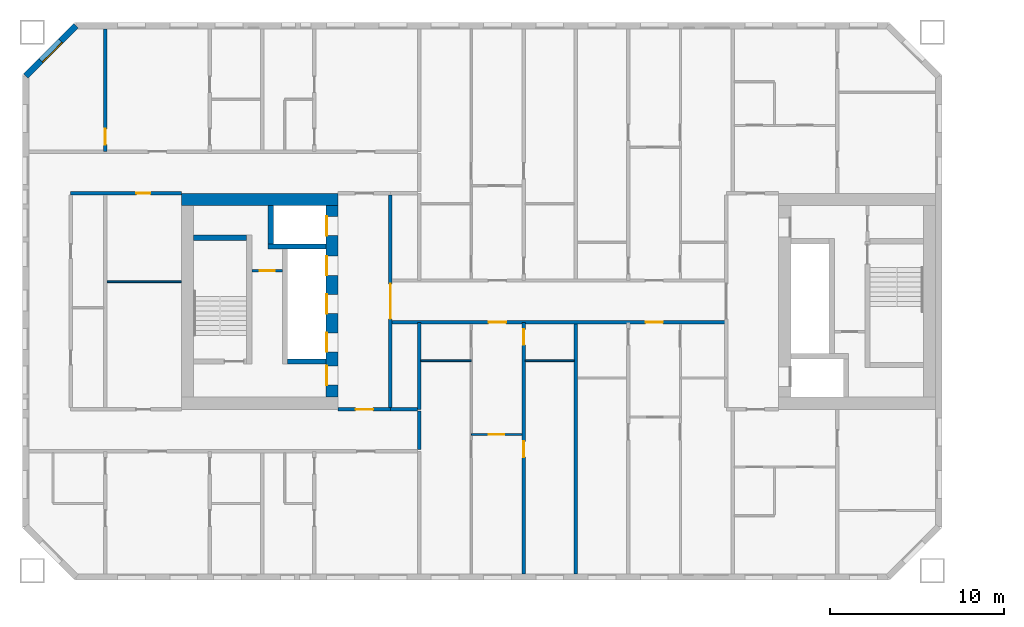
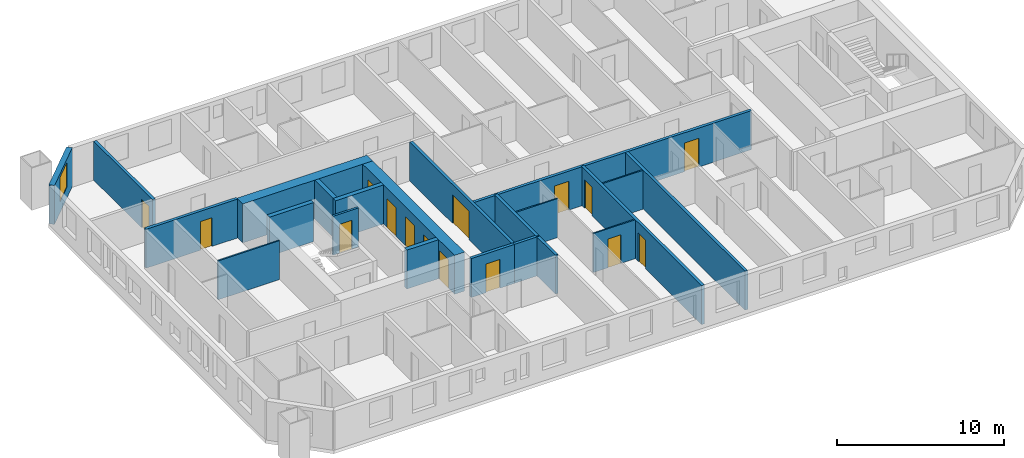
# One storey, part 4 of 17: 22 walls, 15 doors, 1 window, 16 openings.
"""IFC4 building model written with IfcOpenShell, lengths in metres."""

from ifc_helpers import new_model, si_unit, direction, frame, frame_2d, origin, place, context, subcontext, project, spatial, rectangle, extrude, material, layer, layer_set, type_object, element, fill, save


model = new_model("IFC4")

# Units and contexts
model_context = context("Model", 3, precision=1e-05, world=origin(), true_north=direction((0.0, 1.0)))
body_context = subcontext(model_context, "Body", "Model", "MODEL_VIEW")
ifc_project = project(units=[si_unit("LENGTHUNIT", "METRE"), si_unit("AREAUNIT", "SQUARE_METRE"), si_unit("VOLUMEUNIT", "CUBIC_METRE"), si_unit("PLANEANGLEUNIT", "RADIAN"), si_unit("MASSUNIT", "GRAM", prefix="KILO")], contexts=[model_context])

# Site, building, storey
site_placement = place(None, origin())
site = spatial("IfcSite", under=ifc_project, at=site_placement, CompositionType="ELEMENT")
building_placement = place(site_placement, origin())
building = spatial("IfcBuilding", under=site, at=building_placement, Name="Tuart Gate Housing", CompositionType="ELEMENT")
storey_placement = place(building_placement, frame((0.0, 0.0, 77.800048828125)))
storey = spatial("IfcBuildingStorey", under=building, at=storey_placement, Name="L21", CompositionType="ELEMENT", Elevation=77.800048828125)

# Wall, opening, window
ifc_material_1 = material(Name="Brick", Category="masonry")
ifc_layer_1 = layer(ifc_material_1, 0.360107421875)
ifc_layer_set_1 = layer_set([ifc_layer_1], Name="Brick pier and spandrel wall 360")
wall_type_1 = type_object("IfcWallType", Name="Brick pier and spandrel wall 360", PredefinedType="STANDARD", material=ifc_layer_set_1)
wall_1_placement = place(storey_placement, frame((26.32470703125, 85.820068359375, 0.0), z_axis=(0.0, 0.0, 1.0), x_axis=(-0.707106781187, -0.707106781187, 0.0)))
wall_1 = element("IfcWall", 1, at=wall_1_placement, inside=storey, type_object=wall_type_1, Name="External wall A-NW L21", PredefinedType="STANDARD", context=body_context, shape_type="SweptSolid", body=[
    extrude(rectangle(XDim=4.09375, YDim=0.360107421875, at=frame_2d((2.046875, 0.0))), origin(), (0.0, 0.0, 1.0), 2.849853515625),
])
opening_1_placement = place(wall_1_placement, frame((1.2470703125, 0.0, 0.800048828125)))
opening_1 = element("IfcOpeningElement", 2, at=opening_1_placement, cuts=wall_1, Name="Opening W1", PredefinedType="OPENING", context=body_context, shape_type="SweptSolid", body=[
    extrude(rectangle(XDim=1.60009765625, YDim=1.800048828125, at=frame_2d((0.800048828125, 0.89990234375))), frame((0.0, 0.18994140625, 0.0), z_axis=(0.0, -1.0, 0.0), x_axis=(1.0, 0.0, 0.0)), (0.0, 0.0, 1.0), 0.380126953125),
])
ifc_material_2 = material(Name="Aluminium frame with clear glass", Category="aluminium")
window_type = type_object("IfcWindowType", Name="Punched window 1600 x 1800", PartitioningType="SINGLE_PANEL", PredefinedType="WINDOW", material=ifc_material_2)
window_placement = place(opening_1_placement, origin())
window = element("IfcWindow", 3, at=window_placement, inside=storey, type_object=window_type, Name="Window W1", OverallHeight=1.800048828125, OverallWidth=1.60009765625, PartitioningType="SINGLE_PANEL", PredefinedType="WINDOW", context=body_context, shape_type="SweptSolid", body=[
    extrude(rectangle(XDim=1.60009765625, YDim=1.800048828125, at=frame_2d((0.800048828125, 0.89990234375))), frame((0.0, 0.150146484375, 0.0), z_axis=(0.0, -1.0, 0.0), x_axis=(1.0, 0.0, 0.0)), (0.0, 0.0, 1.0), 0.06005859375),
])
fill(opening_1, window)

# Wall, opening, door
ifc_material_3 = material(Name="Plasterboard partition")
ifc_layer_2 = layer(ifc_material_3, 0.14990234375)
ifc_layer_set_2 = layer_set([ifc_layer_2], Name="Core partition 150")
wall_type_2 = type_object("IfcWallType", Name="Core partition 150", PredefinedType="PARTITIONING", material=ifc_layer_set_2)
wall_2_placement = place(storey_placement, frame((38.159912109375, 71.75, 0.0), z_axis=(0.0, 0.0, 1.0), x_axis=(-1.0, 0.0, 0.0)))
wall_2 = element("IfcWall", 4, at=wall_2_placement, inside=storey, type_object=wall_type_2, Name="Core partition AK.3", PredefinedType="PARTITIONING", context=body_context, shape_type="SweptSolid", body=[
    extrude(rectangle(XDim=1.75, YDim=0.14990234375, at=frame_2d((0.875, 0.0))), origin(), (0.0, 0.0, 1.0), 2.849853515625),
])
opening_2_placement = place(wall_2_placement, frame((0.449951171875, 0.0, 0.0)))
opening_2 = element("IfcOpeningElement", 5, at=opening_2_placement, cuts=wall_2, Name="Opening D858", PredefinedType="OPENING", context=body_context, shape_type="SweptSolid", body=[
    extrude(rectangle(XDim=0.85009765625, YDim=2.10009765625, at=frame_2d((0.425048828125, 1.050048828125))), frame((0.0, 0.0849609375, 0.0), z_axis=(0.0, -1.0, 0.0), x_axis=(1.0, 0.0, 0.0)), (0.0, 0.0, 1.0), 0.169921875),
])
ifc_material_4 = material(Name="Steel fire door", Category="steel")
door_type_1 = type_object("IfcDoorType", Name="Riser door 850 x 2100 RH", OperationType="SINGLE_SWING_RIGHT", PredefinedType="DOOR", material=ifc_material_4)
door_1_placement = place(opening_2_placement, frame((0.85009765625, 0.0, 0.0), z_axis=(0.0, 0.0, 1.0), x_axis=(-1.0, 0.0, 0.0)))
door_1 = element("IfcDoor", 6, at=door_1_placement, inside=storey, type_object=door_type_1, Name="Service room door AK.E1", OperationType="SINGLE_SWING_RIGHT", OverallHeight=2.10009765625, OverallWidth=0.85009765625, PredefinedType="DOOR", context=body_context, shape_type="SweptSolid", body=[
    extrude(rectangle(XDim=0.85009765625, YDim=2.10009765625, at=frame_2d((0.425048828125, 1.050048828125))), frame((0.0, 0.025146484375, 0.0), z_axis=(0.0, -1.0, 0.0), x_axis=(1.0, 0.0, 0.0)), (0.0, 0.0, 1.0), 0.050048828125),
])
fill(opening_2, door_1)

# Walls
ifc_material_5 = material(Name="Concrete C50", Category="concrete")
ifc_layer_3 = layer(ifc_material_5, 0.300048828125)
ifc_layer_set_3 = layer_set([ifc_layer_3], Name="Core wall 300 C50")
wall_type_3 = type_object("IfcWallType", Name="Core wall 300 C50", PredefinedType="SHEAR", material=ifc_layer_set_3)
wall_3_placement = place(storey_placement, frame((36.110107421875, 73.64990234375, 0.0), z_axis=(0.0, 0.0, 1.0), x_axis=(-1.0, 0.0, 0.0)))
element("IfcWall", 7, at=wall_3_placement, inside=storey, type_object=wall_type_3, Name="Core wall AK.1", PredefinedType="SHEAR", context=body_context, shape_type="SweptSolid", body=[
    extrude(rectangle(XDim=3.050048828125, YDim=0.300048828125, at=frame_2d((1.52490234375, 0.0))), origin(), (0.0, 0.0, 1.0), 2.849853515625),
])
wall_4_placement = place(storey_placement, frame((40.659912109375, 73.14990234375, 0.0), z_axis=(0.0, 0.0, 1.0), x_axis=(-1.0, 0.0, 0.0)))
element("IfcWall", 8, at=wall_4_placement, inside=storey, type_object=wall_type_3, Name="Core wall AK.2", PredefinedType="SHEAR", context=body_context, shape_type="SweptSolid", body=[
    extrude(rectangle(XDim=3.31982421875, YDim=0.300048828125, at=frame_2d((1.659912109375, 0.0))), origin(), (0.0, 0.0, 1.0), 2.849853515625),
])
for number, where, z_axis, x_axis, name in (
    (9, (40.659912109375, 66.550048828125, 0.0), (0.0, 0.0, 1.0), (-1.0, 0.0, 0.0), "Core wall AK.4"),
    (10, (37.489990234375, 75.5, 0.0), (0.0, 0.0, 1.0), (0.0, -1.0, 0.0), "Core wall AK.7"),
):
    element("IfcWall", number, at=place(storey_placement, frame(where, z_axis=z_axis, x_axis=x_axis)), inside=storey, type_object=wall_type_3, Name=name, PredefinedType="SHEAR", context=body_context, shape_type="SweptSolid", body=[
        extrude(rectangle(XDim=2.199951171875, YDim=0.300048828125, at=frame_2d((1.10009765625, 0.0))), origin(), (0.0, 0.0, 1.0), 2.849853515625),
    ])

# Wall, openings, doors
ifc_material_6 = material(Name="Concrete C50", Category="concrete")
ifc_layer_4 = layer(ifc_material_6, 0.699951171875)
ifc_layer_set_4 = layer_set([ifc_layer_4], Name="Core wall 700 C50")
wall_type_4 = type_object("IfcWallType", Name="Core wall 700 C50", PredefinedType="SHEAR", material=ifc_layer_set_4)
wall_5_placement = place(storey_placement, frame((41.010009765625, 75.5, 0.0), z_axis=(0.0, 0.0, 1.0), x_axis=(0.0, -1.0, 0.0)))
wall_5 = element("IfcWall", 11, at=wall_5_placement, inside=storey, type_object=wall_type_4, Name="Core wall AK front", PredefinedType="SHEAR", context=body_context, shape_type="SweptSolid", body=[
    extrude(rectangle(XDim=11.0, YDim=0.699951171875, at=frame_2d((5.5, 0.0))), origin(), (0.0, 0.0, 1.0), 2.849853515625),
])
opening_3_placement = place(wall_5_placement, frame((0.625, 0.0, 0.0)))
opening_3 = element("IfcOpeningElement", 12, at=opening_3_placement, cuts=wall_5, Name="Opening LD-FA2", PredefinedType="OPENING", context=body_context, shape_type="SweptSolid", body=[
    extrude(rectangle(XDim=1.10009765625, YDim=2.10009765625, at=frame_2d((0.550048828125, 1.050048828125))), frame((0.0, 0.35986328125, 0.0), z_axis=(0.0, -1.0, 0.0), x_axis=(1.0, 0.0, 0.0)), (0.0, 0.0, 1.0), 0.719970703125),
])
opening_4_placement = place(wall_5_placement, frame((2.89990234375, 0.0, 0.0)))
opening_4 = element("IfcOpeningElement", 13, at=opening_4_placement, cuts=wall_5, Name="Opening LD-LA4", PredefinedType="OPENING", context=body_context, shape_type="SweptSolid", body=[
    extrude(rectangle(XDim=1.10009765625, YDim=2.10009765625, at=frame_2d((0.550048828125, 1.050048828125))), frame((0.0, 0.35986328125, 0.0), z_axis=(0.0, -1.0, 0.0), x_axis=(1.0, 0.0, 0.0)), (0.0, 0.0, 1.0), 0.719970703125),
])
opening_5_placement = place(wall_5_placement, frame((5.10009765625, 0.0, 0.0)))
opening_5 = element("IfcOpeningElement", 14, at=opening_5_placement, cuts=wall_5, Name="Opening LD-LA5", PredefinedType="OPENING", context=body_context, shape_type="SweptSolid", body=[
    extrude(rectangle(XDim=1.10009765625, YDim=2.10009765625, at=frame_2d((0.550048828125, 1.050048828125))), frame((0.0, 0.35986328125, 0.0), z_axis=(0.0, -1.0, 0.0), x_axis=(1.0, 0.0, 0.0)), (0.0, 0.0, 1.0), 0.719970703125),
])
opening_6_placement = place(wall_5_placement, frame((7.300048828125, 0.0, 0.0)))
opening_6 = element("IfcOpeningElement", 15, at=opening_6_placement, cuts=wall_5, Name="Opening LD-LA6", PredefinedType="OPENING", context=body_context, shape_type="SweptSolid", body=[
    extrude(rectangle(XDim=1.10009765625, YDim=2.10009765625, at=frame_2d((0.550048828125, 1.050048828125))), frame((0.0, 0.35986328125, 0.0), z_axis=(0.0, -1.0, 0.0), x_axis=(1.0, 0.0, 0.0)), (0.0, 0.0, 1.0), 0.719970703125),
])
opening_7_placement = place(wall_5_placement, frame((9.199951171875, 0.0, 0.0)))
opening_7 = element("IfcOpeningElement", 16, at=opening_7_placement, cuts=wall_5, Name="Opening D863", PredefinedType="OPENING", context=body_context, shape_type="SweptSolid", body=[
    extrude(rectangle(XDim=1.10009765625, YDim=2.10009765625, at=frame_2d((0.550048828125, 1.050048828125))), frame((0.0, 0.35986328125, 0.0), z_axis=(0.0, -1.0, 0.0), x_axis=(1.0, 0.0, 0.0)), (0.0, 0.0, 1.0), 0.719970703125),
])
ifc_material_7 = material(Name="Stainless steel", Category="steel")
door_type_2 = type_object("IfcDoorType", Name="Landing door 1100 x 2100", OperationType="DOUBLE_DOOR_SLIDING", PredefinedType="DOOR", material=ifc_material_7)
door_2_placement = place(opening_3_placement, origin())
door_2 = element("IfcDoor", 17, at=door_2_placement, inside=storey, type_object=door_type_2, Name="Lift landing door FA2", OperationType="DOUBLE_DOOR_SLIDING", OverallHeight=2.10009765625, OverallWidth=1.10009765625, PredefinedType="DOOR", context=body_context, shape_type="SweptSolid", body=[
    extrude(rectangle(XDim=1.10009765625, YDim=2.10009765625, at=frame_2d((0.550048828125, 1.050048828125))), frame((0.0, -0.28515625, 0.0), z_axis=(0.0, -1.0, 0.0), x_axis=(1.0, 0.0, 0.0)), (0.0, 0.0, 1.0), 0.050048828125),
])
fill(opening_3, door_2)
door_3_placement = place(opening_4_placement, origin())
door_3 = element("IfcDoor", 18, at=door_3_placement, inside=storey, type_object=door_type_2, Name="Lift landing door LA4", OperationType="DOUBLE_DOOR_SLIDING", OverallHeight=2.10009765625, OverallWidth=1.10009765625, PredefinedType="DOOR", context=body_context, shape_type="SweptSolid", body=[
    extrude(rectangle(XDim=1.10009765625, YDim=2.10009765625, at=frame_2d((0.550048828125, 1.050048828125))), frame((0.0, -0.28515625, 0.0), z_axis=(0.0, -1.0, 0.0), x_axis=(1.0, 0.0, 0.0)), (0.0, 0.0, 1.0), 0.050048828125),
])
fill(opening_4, door_3)
door_4_placement = place(opening_5_placement, origin())
door_4 = element("IfcDoor", 19, at=door_4_placement, inside=storey, type_object=door_type_2, Name="Lift landing door LA5", OperationType="DOUBLE_DOOR_SLIDING", OverallHeight=2.10009765625, OverallWidth=1.10009765625, PredefinedType="DOOR", context=body_context, shape_type="SweptSolid", body=[
    extrude(rectangle(XDim=1.10009765625, YDim=2.10009765625, at=frame_2d((0.550048828125, 1.050048828125))), frame((0.0, -0.28515625, 0.0), z_axis=(0.0, -1.0, 0.0), x_axis=(1.0, 0.0, 0.0)), (0.0, 0.0, 1.0), 0.050048828125),
])
fill(opening_5, door_4)
door_5_placement = place(opening_6_placement, origin())
door_5 = element("IfcDoor", 20, at=door_5_placement, inside=storey, type_object=door_type_2, Name="Lift landing door LA6", OperationType="DOUBLE_DOOR_SLIDING", OverallHeight=2.10009765625, OverallWidth=1.10009765625, PredefinedType="DOOR", context=body_context, shape_type="SweptSolid", body=[
    extrude(rectangle(XDim=1.10009765625, YDim=2.10009765625, at=frame_2d((0.550048828125, 1.050048828125))), frame((0.0, -0.28515625, 0.0), z_axis=(0.0, -1.0, 0.0), x_axis=(1.0, 0.0, 0.0)), (0.0, 0.0, 1.0), 0.050048828125),
])
fill(opening_6, door_5)
ifc_material_8 = material(Name="Steel fire door", Category="steel")
door_type_3 = type_object("IfcDoorType", Name="Lobby door 1100 x 2100 RH", OperationType="SINGLE_SWING_RIGHT", PredefinedType="DOOR", material=ifc_material_8)
door_6_placement = place(opening_7_placement, frame((1.10009765625, 0.0, 0.0), z_axis=(0.0, 0.0, 1.0), x_axis=(-1.0, 0.0, 0.0)))
door_6 = element("IfcDoor", 21, at=door_6_placement, inside=storey, type_object=door_type_3, Name="Lobby entry door AK.EN", OperationType="SINGLE_SWING_RIGHT", OverallHeight=2.10009765625, OverallWidth=1.10009765625, PredefinedType="DOOR", context=body_context, shape_type="SweptSolid", body=[
    extrude(rectangle(XDim=1.10009765625, YDim=2.10009765625, at=frame_2d((0.550048828125, 1.050048828125))), frame((0.0, 0.335205078125, 0.0), z_axis=(0.0, -1.0, 0.0), x_axis=(1.0, 0.0, 0.0)), (0.0, 0.0, 1.0), 0.050048828125),
])
fill(opening_7, door_6)

# Walls
wall_6_placement = place(storey_placement, frame((41.360107421875, 75.85009765625, 0.0), z_axis=(0.0, 0.0, 1.0), x_axis=(-1.0, 0.0, 0.0)))
element("IfcWall", 22, at=wall_6_placement, inside=storey, type_object=wall_type_4, Name="Core wall AK south", PredefinedType="SHEAR", context=body_context, shape_type="SweptSolid", body=[
    extrude(rectangle(XDim=9.0, YDim=0.699951171875, at=frame_2d((4.5, 0.0))), origin(), (0.0, 0.0, 1.0), 2.849853515625),
])
ifc_material_9 = material(Name="Concrete masonry 15 MPa", Category="masonry")
ifc_layer_5 = layer(ifc_material_9, 0.199951171875)
ifc_layer_set_5 = layer_set([ifc_layer_5], Name="Corridor wall masonry 200")
wall_type_5 = type_object("IfcWallType", Name="Corridor wall masonry 200", PredefinedType="PARTITIONING", material=ifc_layer_set_5)
wall_7_placement = place(storey_placement, frame((44.360107421875, 63.800048828125, 0.0), z_axis=(0.0, 0.0, 1.0), x_axis=(1.0, 0.0, 0.0)))
element("IfcWall", 23, at=wall_7_placement, inside=storey, type_object=wall_type_5, Name="Corridor wall masonry 200", PredefinedType="PARTITIONING", context=body_context, shape_type="SweptSolid", body=[
    extrude(rectangle(XDim=1.539794921875, YDim=0.199951171875, at=frame_2d((0.77001953125, 0.0))), origin(), (0.0, 0.0, 1.0), 2.849853515625),
])

# Wall, openings, doors
wall_8_placement = place(storey_placement, frame((44.360107421875, 68.800048828125, 0.0), z_axis=(0.0, 0.0, 1.0), x_axis=(1.0, 0.0, 0.0)))
wall_8 = element("IfcWall", 24, at=wall_8_placement, inside=storey, type_object=wall_type_5, Name="Corridor wall masonry 200", PredefinedType="PARTITIONING", context=body_context, shape_type="SweptSolid", body=[
    extrude(rectangle(XDim=19.27978515625, YDim=0.199951171875, at=frame_2d((9.639892578125, 0.0))), origin(), (0.0, 0.0, 1.0), 2.849853515625),
])
opening_8_placement = place(wall_8_placement, frame((14.639892578125, 0.0, 0.0)))
opening_8 = element("IfcOpeningElement", 25, at=opening_8_placement, cuts=wall_8, Name="Opening D868", PredefinedType="OPENING", context=body_context, shape_type="SweptSolid", body=[
    extrude(rectangle(XDim=1.0, YDim=2.10009765625, at=frame_2d((0.5, 1.050048828125))), frame((0.0, 0.10986328125, 0.0), z_axis=(0.0, -1.0, 0.0), x_axis=(1.0, 0.0, 0.0)), (0.0, 0.0, 1.0), 0.219970703125),
])
opening_9_placement = place(wall_8_placement, frame((5.639892578125, 0.0, 0.0)))
opening_9 = element("IfcOpeningElement", 26, at=opening_9_placement, cuts=wall_8, Name="Opening D869", PredefinedType="OPENING", context=body_context, shape_type="SweptSolid", body=[
    extrude(rectangle(XDim=1.0, YDim=2.10009765625, at=frame_2d((0.5, 1.050048828125))), frame((0.0, 0.10986328125, 0.0), z_axis=(0.0, -1.0, 0.0), x_axis=(1.0, 0.0, 0.0)), (0.0, 0.0, 1.0), 0.219970703125),
])
ifc_material_10 = material(Name="Timber door leaf in steel frame", Category="steel")
door_type_4 = type_object("IfcDoorType", Name="Flat entrance door 1000 RH", OperationType="SINGLE_SWING_RIGHT", PredefinedType="DOOR", material=ifc_material_10)
door_7_placement = place(opening_8_placement, frame((1.0, 0.0, 0.0), z_axis=(0.0, 0.0, 1.0), x_axis=(-1.0, 0.0, 0.0)))
door_7 = element("IfcDoor", 27, at=door_7_placement, inside=storey, type_object=door_type_4, Name="Flat entrance door", OperationType="SINGLE_SWING_RIGHT", OverallHeight=2.10009765625, OverallWidth=1.0, PredefinedType="DOOR", context=body_context, shape_type="SweptSolid", body=[
    extrude(rectangle(XDim=1.0, YDim=2.10009765625, at=frame_2d((0.5, 1.050048828125))), frame((0.0, 0.025146484375, 0.0), z_axis=(0.0, -1.0, 0.0), x_axis=(1.0, 0.0, 0.0)), (0.0, 0.0, 1.0), 0.050048828125),
])
fill(opening_8, door_7)
door_8_placement = place(opening_9_placement, frame((1.0, 0.0, 0.0), z_axis=(0.0, 0.0, 1.0), x_axis=(-1.0, 0.0, 0.0)))
door_8 = element("IfcDoor", 28, at=door_8_placement, inside=storey, type_object=door_type_4, Name="Flat entrance door", OperationType="SINGLE_SWING_RIGHT", OverallHeight=2.10009765625, OverallWidth=1.0, PredefinedType="DOOR", context=body_context, shape_type="SweptSolid", body=[
    extrude(rectangle(XDim=1.0, YDim=2.10009765625, at=frame_2d((0.5, 1.050048828125))), frame((0.0, 0.025146484375, 0.0), z_axis=(0.0, -1.0, 0.0), x_axis=(1.0, 0.0, 0.0)), (0.0, 0.0, 1.0), 0.050048828125),
])
fill(opening_9, door_8)

# Wall, opening, door
wall_9_placement = place(storey_placement, frame((26.010009765625, 76.199951171875, 0.0), z_axis=(0.0, 0.0, 1.0), x_axis=(1.0, 0.0, 0.0)))
wall_9 = element("IfcWall", 29, at=wall_9_placement, inside=storey, type_object=wall_type_5, Name="Corridor wall masonry 200", PredefinedType="PARTITIONING", context=body_context, shape_type="SweptSolid", body=[
    extrude(rectangle(XDim=6.35009765625, YDim=0.199951171875, at=frame_2d((3.175048828125, 0.0))), origin(), (0.0, 0.0, 1.0), 2.849853515625),
])
opening_10_placement = place(wall_9_placement, frame((3.77001953125, 0.0, 0.0)))
opening_10 = element("IfcOpeningElement", 30, at=opening_10_placement, cuts=wall_9, Name="Opening D854", PredefinedType="OPENING", context=body_context, shape_type="SweptSolid", body=[
    extrude(rectangle(XDim=0.800048828125, YDim=2.10009765625, at=frame_2d((0.39990234375, 1.050048828125))), frame((0.0, 0.10986328125, 0.0), z_axis=(0.0, -1.0, 0.0), x_axis=(1.0, 0.0, 0.0)), (0.0, 0.0, 1.0), 0.219970703125),
])
ifc_material_11 = material(Name="Timber door leaf in steel frame", Category="steel")
door_type_5 = type_object("IfcDoorType", Name="Store door 800 RH", OperationType="SINGLE_SWING_RIGHT", PredefinedType="DOOR", material=ifc_material_11)
door_9_placement = place(opening_10_placement, frame((0.800048828125, 0.0, 0.0), z_axis=(0.0, 0.0, 1.0), x_axis=(-1.0, 0.0, 0.0)))
door_9 = element("IfcDoor", 31, at=door_9_placement, inside=storey, type_object=door_type_5, Name="Store door", OperationType="SINGLE_SWING_RIGHT", OverallHeight=2.10009765625, OverallWidth=0.800048828125, PredefinedType="DOOR", context=body_context, shape_type="SweptSolid", body=[
    extrude(rectangle(XDim=0.800048828125, YDim=2.10009765625, at=frame_2d((0.400146484375, 1.050048828125))), frame((0.0, 0.025146484375, 0.0), z_axis=(0.0, -1.0, 0.0), x_axis=(1.0, 0.0, 0.0)), (0.0, 0.0, 1.0), 0.050048828125),
])
fill(opening_10, door_9)

# Wall
wall_10_placement = place(storey_placement, frame((46.0, 61.5, 0.0), z_axis=(0.0, 0.0, 1.0), x_axis=(0.0, 1.0, 0.0)))
element("IfcWall", 32, at=wall_10_placement, inside=storey, type_object=wall_type_5, Name="Corridor wall masonry 200", PredefinedType="PARTITIONING", context=body_context, shape_type="SweptSolid", body=[
    extrude(rectangle(XDim=2.199951171875, YDim=0.199951171875, at=frame_2d((1.10009765625, 0.0))), origin(), (0.0, 0.0, 1.0), 2.849853515625),
])

# Wall, opening, door
ifc_material_12 = material(Name="Concrete masonry 15 MPa", Category="masonry")
ifc_layer_6 = layer(ifc_material_12, 0.199951171875)
ifc_layer_set_6 = layer_set([ifc_layer_6], Name="Enclosure wall masonry 200")
wall_type_6 = type_object("IfcWallType", Name="Enclosure wall masonry 200", PredefinedType="PARTITIONING", material=ifc_layer_set_6)
wall_11_placement = place(storey_placement, frame((41.360107421875, 63.800048828125, 0.0), z_axis=(0.0, 0.0, 1.0), x_axis=(1.0, 0.0, 0.0)))
wall_11 = element("IfcWall", 33, at=wall_11_placement, inside=storey, type_object=wall_type_6, Name="Enclosure wall masonry 200", PredefinedType="PARTITIONING", context=body_context, shape_type="SweptSolid", body=[
    extrude(rectangle(XDim=3.0, YDim=0.199951171875, at=frame_2d((1.5, 0.0))), origin(), (0.0, 0.0, 1.0), 2.849853515625),
])
opening_11_placement = place(wall_11_placement, frame((1.0, 0.0, 0.0)))
opening_11 = element("IfcOpeningElement", 34, at=opening_11_placement, cuts=wall_11, Name="Opening D873", PredefinedType="OPENING", context=body_context, shape_type="SweptSolid", body=[
    extrude(rectangle(XDim=1.0, YDim=2.10009765625, at=frame_2d((0.5, 1.050048828125))), frame((0.0, 0.10986328125, 0.0), z_axis=(0.0, -1.0, 0.0), x_axis=(1.0, 0.0, 0.0)), (0.0, 0.0, 1.0), 0.219970703125),
])
ifc_material_13 = material(Name="Timber door leaf in steel frame", Category="steel")
door_type_6 = type_object("IfcDoorType", Name="Fire door 1000", OperationType="SINGLE_SWING_LEFT", PredefinedType="DOOR", material=ifc_material_13)
door_10_placement = place(opening_11_placement, frame((1.0, 0.0, 0.0), z_axis=(0.0, 0.0, 1.0), x_axis=(-1.0, 0.0, 0.0)))
door_10 = element("IfcDoor", 35, at=door_10_placement, inside=storey, type_object=door_type_6, Name="Fire door", OperationType="SINGLE_SWING_LEFT", OverallHeight=2.10009765625, OverallWidth=1.0, PredefinedType="DOOR", context=body_context, shape_type="SweptSolid", body=[
    extrude(rectangle(XDim=1.0, YDim=2.10009765625, at=frame_2d((0.5, 1.050048828125))), frame((0.0, 0.025146484375, 0.0), z_axis=(0.0, -1.0, 0.0), x_axis=(1.0, 0.0, 0.0)), (0.0, 0.0, 1.0), 0.050048828125),
])
fill(opening_11, door_10)

ifc_material_14 = material(Name="Plasterboard partition")
ifc_layer_7 = layer(ifc_material_14, 0.199951171875)
ifc_layer_set_7 = layer_set([ifc_layer_7], Name="Lobby wall 200")
wall_type_7 = type_object("IfcWallType", Name="Lobby wall 200", PredefinedType="PARTITIONING", material=ifc_layer_set_7)
wall_12_placement = place(storey_placement, frame((44.360107421875, 63.89990234375, 0.0), z_axis=(0.0, 0.0, 1.0), x_axis=(0.0, 1.0, 0.0)))
wall_12 = element("IfcWall", 36, at=wall_12_placement, inside=storey, type_object=wall_type_7, Name="Lift lobby wall AK", PredefinedType="PARTITIONING", context=body_context, shape_type="SweptSolid", body=[
    extrude(rectangle(XDim=12.2001953125, YDim=0.199951171875, at=frame_2d((6.10009765625, 0.0))), origin(), (0.0, 0.0, 1.0), 2.849853515625),
])
opening_12_placement = place(wall_12_placement, frame((5.10009765625, 0.0, 0.0)))
opening_12 = element("IfcOpeningElement", 37, at=opening_12_placement, cuts=wall_12, Name="Opening D864", PredefinedType="OPENING", context=body_context, shape_type="SweptSolid", body=[
    extrude(rectangle(XDim=2.0, YDim=2.10009765625, at=frame_2d((1.0, 1.050048828125))), frame((0.0, 0.10986328125, 0.0), z_axis=(0.0, -1.0, 0.0), x_axis=(1.0, 0.0, 0.0)), (0.0, 0.0, 1.0), 0.219970703125),
])
ifc_material_15 = material(Name="Steel fire door", Category="steel")
door_type_7 = type_object("IfcDoorType", Name="Smoke door 2000 x 2100", OperationType="DOUBLE_DOOR_SINGLE_SWING", PredefinedType="DOOR", material=ifc_material_15)
door_11_placement = place(opening_12_placement, origin())
door_11 = element("IfcDoor", 38, at=door_11_placement, inside=storey, type_object=door_type_7, Name="Lift lobby smoke door AK", OperationType="DOUBLE_DOOR_SINGLE_SWING", OverallHeight=2.10009765625, OverallWidth=2.0, PredefinedType="DOOR", context=body_context, shape_type="SweptSolid", body=[
    extrude(rectangle(XDim=2.0, YDim=2.10009765625, at=frame_2d((1.0, 1.050048828125))), frame((0.0, 0.02490234375, 0.0), z_axis=(0.0, -1.0, 0.0), x_axis=(1.0, 0.0, 0.0)), (0.0, 0.0, 1.0), 0.050048828125),
])
fill(opening_12, door_11)

ifc_material_16 = material(Name="Gypsum board on steel studs", Category="steel")
ifc_layer_8 = layer(ifc_material_16, 0.10009765625)
ifc_layer_set_8 = layer_set([ifc_layer_8], Name="Partition 100")
wall_type_8 = type_object("IfcWallType", Name="Partition 100", PredefinedType="PARTITIONING", material=ifc_layer_set_8)
wall_13_placement = place(storey_placement, frame((49.0, 62.360107421875, 0.0), z_axis=(0.0, 0.0, 1.0), x_axis=(1.0, 0.0, 0.0)))
wall_13 = element("IfcWall", 39, at=wall_13_placement, inside=storey, type_object=wall_type_8, Name="Partition 100", PredefinedType="PARTITIONING", context=body_context, shape_type="SweptSolid", body=[
    extrude(rectangle(XDim=2.89990234375, YDim=0.10009765625, at=frame_2d((1.449951171875, 0.0))), origin(), (0.0, 0.0, 1.0), 2.849853515625),
])
opening_13_placement = place(wall_13_placement, frame((1.0, 0.0, 0.0)))
opening_13 = element("IfcOpeningElement", 40, at=opening_13_placement, cuts=wall_13, Name="Opening D876", PredefinedType="OPENING", context=body_context, shape_type="SweptSolid", body=[
    extrude(rectangle(XDim=0.89990234375, YDim=2.10009765625, at=frame_2d((0.449951171875, 1.050048828125))), frame((0.0, 0.06005859375, 0.0), z_axis=(0.0, -1.0, 0.0), x_axis=(1.0, 0.0, 0.0)), (0.0, 0.0, 1.0), 0.1201171875),
])
ifc_material_17 = material(Name="Timber door leaf in steel frame", Category="steel")
door_type_8 = type_object("IfcDoorType", Name="Internal door 900", OperationType="SINGLE_SWING_LEFT", PredefinedType="DOOR", material=ifc_material_17)
door_12_placement = place(opening_13_placement, origin())
door_12 = element("IfcDoor", 41, at=door_12_placement, inside=storey, type_object=door_type_8, Name="Internal door", OperationType="SINGLE_SWING_LEFT", OverallHeight=2.10009765625, OverallWidth=0.89990234375, PredefinedType="DOOR", context=body_context, shape_type="SweptSolid", body=[
    extrude(rectangle(XDim=0.89990234375, YDim=2.10009765625, at=frame_2d((0.449951171875, 1.050048828125))), frame((0.0, 0.02490234375, 0.0), z_axis=(0.0, -1.0, 0.0), x_axis=(1.0, 0.0, 0.0)), (0.0, 0.0, 1.0), 0.050048828125),
])
fill(opening_13, door_12)

# Walls
wall_14_placement = place(storey_placement, frame((46.10009765625, 66.60009765625, 0.0), z_axis=(0.0, 0.0, 1.0), x_axis=(1.0, 0.0, 0.0)))
element("IfcWall", 42, at=wall_14_placement, inside=storey, type_object=wall_type_8, Name="Partition 100", PredefinedType="PARTITIONING", context=body_context, shape_type="SweptSolid", body=[
    extrude(rectangle(XDim=2.89990234375, YDim=0.10009765625, at=frame_2d((1.449951171875, 0.0))), origin(), (0.0, 0.0, 1.0), 2.849853515625),
])
wall_15_placement = place(storey_placement, frame((52.10009765625, 66.60009765625, 0.0), z_axis=(0.0, 0.0, 1.0), x_axis=(1.0, 0.0, 0.0)))
element("IfcWall", 43, at=wall_15_placement, inside=storey, type_object=wall_type_8, Name="Partition 100", PredefinedType="PARTITIONING", context=body_context, shape_type="SweptSolid", body=[
    extrude(rectangle(XDim=2.7998046875, YDim=0.10009765625, at=frame_2d((1.39990234375, 0.0))), origin(), (0.0, 0.0, 1.0), 2.849853515625),
])
wall_16_placement = place(storey_placement, frame((28.10009765625, 71.1298828125, 0.0), z_axis=(0.0, 0.0, 1.0), x_axis=(1.0, 0.0, 0.0)))
element("IfcWall", 44, at=wall_16_placement, inside=storey, type_object=wall_type_8, Name="Partition 100", PredefinedType="PARTITIONING", context=body_context, shape_type="SweptSolid", body=[
    extrude(rectangle(XDim=4.260009765625, YDim=0.10009765625, at=frame_2d((2.1298828125, 0.0))), origin(), (0.0, 0.0, 1.0), 2.849853515625),
])

# Wall, opening, door
ifc_material_18 = material(Name="Concrete C40", Category="concrete")
ifc_layer_9 = layer(ifc_material_18, 0.199951171875)
ifc_layer_set_9 = layer_set([ifc_layer_9], Name="Party wall concrete C40 200")
wall_type_9 = type_object("IfcWallType", Name="Party wall concrete C40 200", PredefinedType="SOLIDWALL", material=ifc_layer_set_9)
wall_17_placement = place(storey_placement, frame((28.0, 78.60009765625, 0.0), z_axis=(0.0, 0.0, 1.0), x_axis=(0.0, 1.0, 0.0)))
wall_17 = element("IfcWall", 45, at=wall_17_placement, inside=storey, type_object=wall_type_9, Name="Party wall concrete C40 200", PredefinedType="SOLIDWALL", context=body_context, shape_type="SweptSolid", body=[
    extrude(rectangle(XDim=7.039794921875, YDim=0.199951171875, at=frame_2d((3.52001953125, 0.0))), origin(), (0.0, 0.0, 1.0), 2.849853515625),
])
opening_14_placement = place(wall_17_placement, frame((0.39990234375, 0.0, 0.0)))
opening_14 = element("IfcOpeningElement", 46, at=opening_14_placement, cuts=wall_17, Name="Opening D833", PredefinedType="OPENING", context=body_context, shape_type="SweptSolid", body=[
    extrude(rectangle(XDim=0.89990234375, YDim=2.10009765625, at=frame_2d((0.449951171875, 1.050048828125))), frame((0.0, 0.10986328125, 0.0), z_axis=(0.0, -1.0, 0.0), x_axis=(1.0, 0.0, 0.0)), (0.0, 0.0, 1.0), 0.219970703125),
])
door_13_placement = place(opening_14_placement, origin())
door_13 = element("IfcDoor", 47, at=door_13_placement, inside=storey, type_object=door_type_8, Name="Internal door", OperationType="SINGLE_SWING_LEFT", OverallHeight=2.10009765625, OverallWidth=0.89990234375, PredefinedType="DOOR", context=body_context, shape_type="SweptSolid", body=[
    extrude(rectangle(XDim=0.89990234375, YDim=2.10009765625, at=frame_2d((0.449951171875, 1.050048828125))), frame((0.0, 0.02490234375, 0.0), z_axis=(0.0, -1.0, 0.0), x_axis=(1.0, 0.0, 0.0)), (0.0, 0.0, 1.0), 0.050048828125),
])
fill(opening_14, door_13)

# Wall
wall_18_placement = place(storey_placement, frame((46.0, 63.800048828125, 0.0), z_axis=(0.0, 0.0, 1.0), x_axis=(0.0, 1.0, 0.0)))
element("IfcWall", 48, at=wall_18_placement, inside=storey, type_object=wall_type_9, Name="Party wall concrete C40 200", PredefinedType="SOLIDWALL", context=body_context, shape_type="SweptSolid", body=[
    extrude(rectangle(XDim=5.0, YDim=0.199951171875, at=frame_2d((2.5, 0.0))), origin(), (0.0, 0.0, 1.0), 2.849853515625),
])

# Wall, openings, doors
wall_19_placement = place(storey_placement, frame((52.0, 54.360107421875, 0.0), z_axis=(0.0, 0.0, 1.0), x_axis=(0.0, 1.0, 0.0)))
wall_19 = element("IfcWall", 49, at=wall_19_placement, inside=storey, type_object=wall_type_9, Name="Party wall concrete C40 200", PredefinedType="SOLIDWALL", context=body_context, shape_type="SweptSolid", body=[
    extrude(rectangle(XDim=14.43994140625, YDim=0.199951171875, at=frame_2d((7.219970703125, 0.0))), origin(), (0.0, 0.0, 1.0), 2.849853515625),
])
opening_15_placement = place(wall_19_placement, frame((6.699951171875, 0.0, 0.0)))
opening_15 = element("IfcOpeningElement", 50, at=opening_15_placement, cuts=wall_19, Name="Opening D878", PredefinedType="OPENING", context=body_context, shape_type="SweptSolid", body=[
    extrude(rectangle(XDim=0.89990234375, YDim=2.10009765625, at=frame_2d((0.449951171875, 1.050048828125))), frame((0.0, 0.10986328125, 0.0), z_axis=(0.0, -1.0, 0.0), x_axis=(1.0, 0.0, 0.0)), (0.0, 0.0, 1.0), 0.219970703125),
])
opening_16_placement = place(wall_19_placement, frame((13.139892578125, 0.0, 0.0)))
opening_16 = element("IfcOpeningElement", 51, at=opening_16_placement, cuts=wall_19, Name="Opening D877", PredefinedType="OPENING", context=body_context, shape_type="SweptSolid", body=[
    extrude(rectangle(XDim=0.89990234375, YDim=2.10009765625, at=frame_2d((0.449951171875, 1.050048828125))), frame((0.0, 0.10986328125, 0.0), z_axis=(0.0, -1.0, 0.0), x_axis=(1.0, 0.0, 0.0)), (0.0, 0.0, 1.0), 0.219970703125),
])
ifc_material_19 = material(Name="Timber door leaf in steel frame", Category="steel")
door_type_9 = type_object("IfcDoorType", Name="Bathroom door 900", OperationType="SINGLE_SWING_LEFT", PredefinedType="DOOR", material=ifc_material_19)
door_14_placement = place(opening_16_placement, frame((0.89990234375, 0.0, 0.0), z_axis=(0.0, 0.0, 1.0), x_axis=(-1.0, 0.0, 0.0)))
door_14 = element("IfcDoor", 52, at=door_14_placement, inside=storey, type_object=door_type_9, Name="Bathroom door", OperationType="SINGLE_SWING_LEFT", OverallHeight=2.10009765625, OverallWidth=0.89990234375, PredefinedType="DOOR", context=body_context, shape_type="SweptSolid", body=[
    extrude(rectangle(XDim=0.89990234375, YDim=2.10009765625, at=frame_2d((0.449951171875, 1.050048828125))), frame((0.0, 0.025146484375, 0.0), z_axis=(0.0, -1.0, 0.0), x_axis=(1.0, 0.0, 0.0)), (0.0, 0.0, 1.0), 0.050048828125),
])
fill(opening_16, door_14)
door_15_placement = place(opening_15_placement, frame((0.89990234375, 0.0, 0.0), z_axis=(0.0, 0.0, 1.0), x_axis=(-1.0, 0.0, 0.0)))
door_15 = element("IfcDoor", 53, at=door_15_placement, inside=storey, type_object=door_type_8, Name="Internal door", OperationType="SINGLE_SWING_LEFT", OverallHeight=2.10009765625, OverallWidth=0.89990234375, PredefinedType="DOOR", context=body_context, shape_type="SweptSolid", body=[
    extrude(rectangle(XDim=0.89990234375, YDim=2.10009765625, at=frame_2d((0.449951171875, 1.050048828125))), frame((0.0, 0.025146484375, 0.0), z_axis=(0.0, -1.0, 0.0), x_axis=(1.0, 0.0, 0.0)), (0.0, 0.0, 1.0), 0.050048828125),
])
fill(opening_15, door_15)

# Wall
ifc_material_20 = material(Name="Concrete masonry 15 MPa", Category="masonry")
ifc_layer_10 = layer(ifc_material_20, 0.199951171875)
ifc_layer_set_10 = layer_set([ifc_layer_10], Name="Party wall masonry 200")
wall_type_10 = type_object("IfcWallType", Name="Party wall masonry 200", PredefinedType="PARTITIONING", material=ifc_layer_set_10)
wall_20_placement = place(storey_placement, frame((55.0, 54.360107421875, 0.0), z_axis=(0.0, 0.0, 1.0), x_axis=(0.0, 1.0, 0.0)))
element("IfcWall", 54, at=wall_20_placement, inside=storey, type_object=wall_type_10, Name="Party wall masonry 200", PredefinedType="PARTITIONING", context=body_context, shape_type="SweptSolid", body=[
    extrude(rectangle(XDim=14.33984375, YDim=0.199951171875, at=frame_2d((7.169921875, 0.0))), origin(), (0.0, 0.0, 1.0), 2.849853515625),
])

save(model, "model.ifc")
